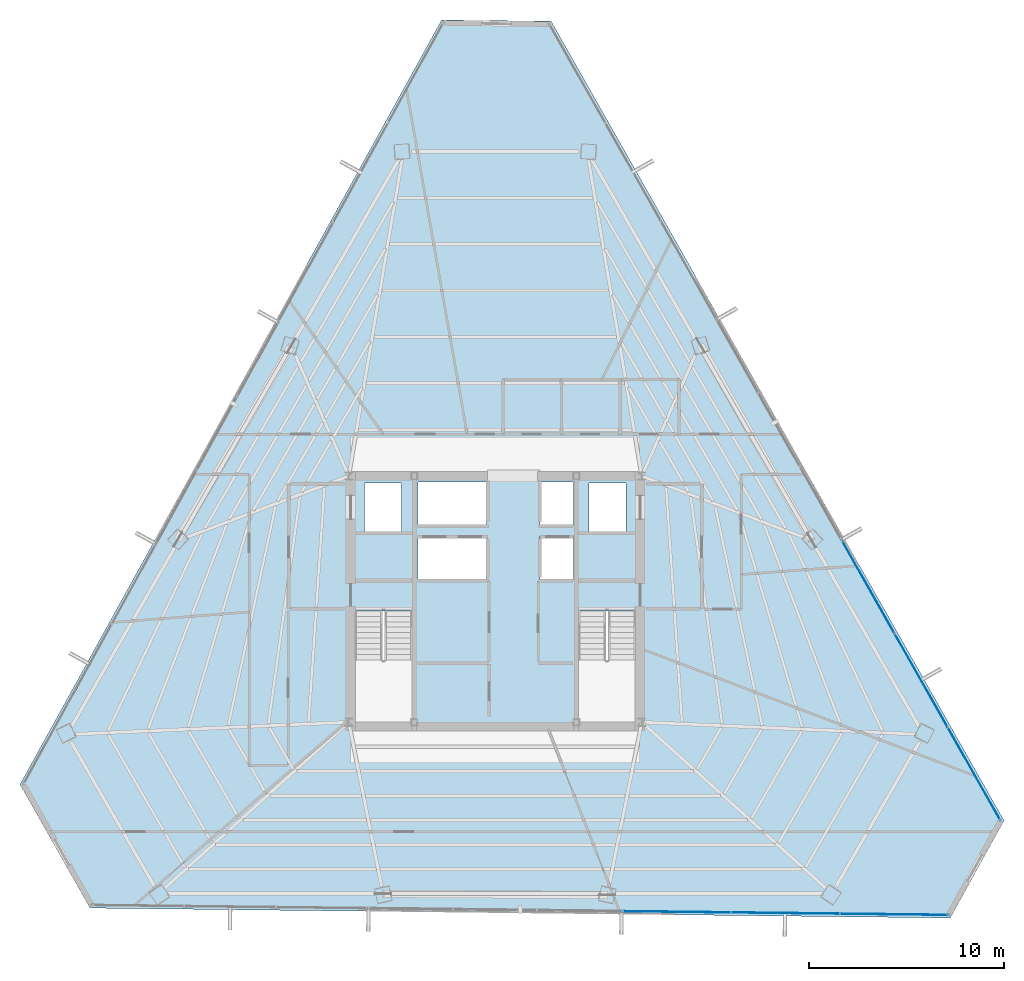
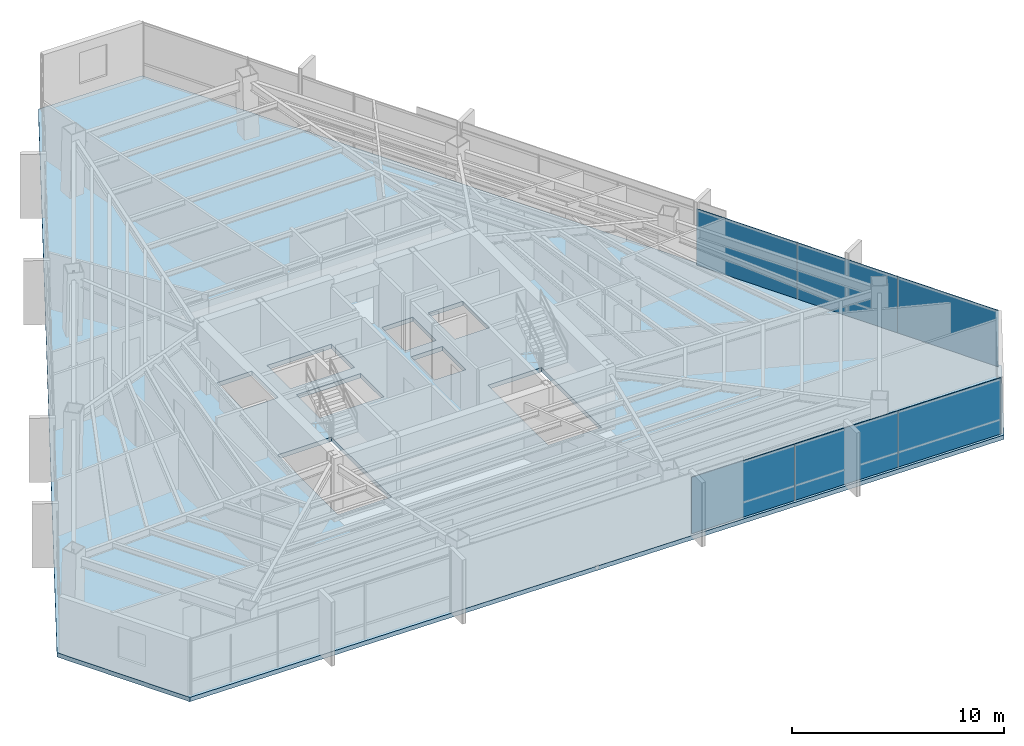
# One storey, part 34 of 40: 6 plates, 1 slab, 2 elements without a shape of their own.
"""IFC4 building model written with IfcOpenShell, lengths in metres."""

from ifc_helpers import new_model, si_unit, direction, frame, origin, origin_2d, place, context, subcontext, project, spatial, polyline, rectangle, outline, extrude, source, transform, mapped, material, layer, layer_set, type_object, type_shapes, element, aggregate, save


model = new_model("IFC4")

# Units and contexts
model_context = context("Model", 3, precision=1e-05, world=origin(), true_north=direction((0.0, 1.0)))
body_context = subcontext(model_context, "Body", "Model", "MODEL_VIEW")
ifc_project = project(units=[si_unit("LENGTHUNIT", "METRE"), si_unit("AREAUNIT", "SQUARE_METRE"), si_unit("VOLUMEUNIT", "CUBIC_METRE"), si_unit("PLANEANGLEUNIT", "RADIAN"), si_unit("MASSUNIT", "GRAM", prefix="KILO")], contexts=[model_context])

# Site, building, storey
site_placement = place(None, origin())
site = spatial("IfcSite", under=ifc_project, at=site_placement, CompositionType="ELEMENT")
building_placement = place(site_placement, origin())
building = spatial("IfcBuilding", under=site, at=building_placement, Name="Caelisora Broadcast Tower", CompositionType="ELEMENT")
storey_placement = place(building_placement, frame((0.0, 0.0, 216.89990234375)))
storey = spatial("IfcBuildingStorey", under=building, at=storey_placement, Name="L57", CompositionType="ELEMENT", Elevation=216.89990234375)

# Slab
ifc_material_1 = material(Name="Concrete 40 MPa (AS 3600 N40)", Category="concrete")
ifc_layer_1 = layer(ifc_material_1, 0.25, Name="Concrete 40 MPa (AS 3600 N40)")
ifc_layer_set_1 = layer_set([ifc_layer_1], Name="Concrete 40 MPa (AS 3600 N40)")
slab_type = type_object("IfcSlabType", Name="SL04", PredefinedType="FLOOR", material=ifc_layer_set_1)
slab_placement = place(storey_placement, frame((0.0, 0.0, -0.25)))
element("IfcSlab", 1, at=slab_placement, inside=storey, type_object=slab_type, Name="L57 suspended floor SL04", PredefinedType="FLOOR", context=body_context, shape_type="SweptSolid", body=[
    extrude(outline(polyline([(40.862060546875, 53.281982421875), (35.25, 53.345947265625), (13.669921875, 14.2099609375), (17.25390625, 7.884033203125), (61.29296875, 7.376953125), (64.04296875, 12.363037109375), (40.862060546875, 53.281982421875)]), holes=[polyline([(30.820068359375, 17.39990234375), (33.739990234375, 17.39990234375), (33.739990234375, 23.080078125), (30.820068359375, 23.080078125), (30.820068359375, 17.39990234375)]), polyline([(42.260009765625, 17.39990234375), (45.179931640625, 17.39990234375), (45.179931640625, 23.080078125), (42.260009765625, 23.080078125), (42.260009765625, 17.39990234375)]), polyline([(42.800048828125, 27.14990234375), (44.699951171875, 27.14990234375), (44.699951171875, 29.64990234375), (42.800048828125, 29.64990234375), (42.800048828125, 27.14990234375)]), polyline([(40.300048828125, 24.719970703125), (42.0, 24.719970703125), (42.0, 26.919921875), (40.300048828125, 26.919921875), (40.300048828125, 24.719970703125)]), polyline([(40.300048828125, 27.5), (42.0, 27.5), (42.0, 29.699951171875), (40.300048828125, 29.699951171875), (40.300048828125, 27.5)]), polyline([(34.050048828125, 24.719970703125), (37.550048828125, 24.719970703125), (37.550048828125, 26.919921875), (34.050048828125, 26.919921875), (34.050048828125, 24.719970703125)]), polyline([(34.050048828125, 27.5), (37.550048828125, 27.5), (37.550048828125, 29.699951171875), (34.050048828125, 29.699951171875), (34.050048828125, 27.5)]), polyline([(31.300048828125, 27.14990234375), (33.199951171875, 27.14990234375), (33.199951171875, 29.64990234375), (31.300048828125, 29.64990234375), (31.300048828125, 27.14990234375)])]), origin(), (0.0, 0.0, 1.0), 0.25),
])

# Curtain wall, plates
ifc_material_2 = material(Name="Unitised Aluminium and Low-E Glass Curtain Wall", Category="glass")
curtain_wall_type = type_object("IfcCurtainWallType", Name="CW-Z4", PredefinedType="NOTDEFINED", material=ifc_material_2)
curtain_wall_1_placement = place(storey_placement, origin())
curtain_wall_1 = element("IfcCurtainWall", 2, at=curtain_wall_1_placement, inside=storey, type_object=curtain_wall_type, Name="L57 curtain wall CW-Z4", PredefinedType="NOTDEFINED")
ifc_material_3 = material(Name="Double Glazed Low-E Argon IGU", Category="glass")
ifc_layer_2 = layer(ifc_material_3, 0.030029296875, Name="Double Glazed Low-E Argon IGU")
ifc_layer_set_2 = layer_set([ifc_layer_2], Name="Double Glazed Low-E Argon IGU")
plate_type = type_object("IfcPlateType", Name="CWP-05", PredefinedType="CURTAIN_PANEL", material=ifc_layer_set_2)
shared_shape_1 = source(origin(), body_context, "Body", "SweptSolid", [
    extrude(rectangle(XDim=5.50732421875, YDim=0.030029296875, at=origin_2d()), origin(), (0.0, 0.0, 1.0), 3.25),
])
plate_1_placement = place(storey_placement, frame((57.08447265625, 24.341796875, 0.0), z_axis=(0.0, 0.0, 1.0), x_axis=(0.492879209759, -0.870097744272, 0.0)))
plate_1 = element("IfcPlate", 3, at=plate_1_placement, type_object=plate_type, Name="L57-CW-B03 glazed panel #1", PredefinedType="CURTAIN_PANEL", context=body_context, shape_type="MappedRepresentation", body=[
    mapped(shared_shape_1, transform((0.0, 0.0, 0.0), scale=1.0)),
])
plate_2_placement = place(storey_placement, frame((59.799072265625, 19.5498046875, 0.0), z_axis=(0.0, 0.0, 1.0), x_axis=(0.492879209759, -0.870097744272, 0.0)))
plate_2 = element("IfcPlate", 4, at=plate_2_placement, type_object=plate_type, Name="L57-CW-B03 glazed panel #2", PredefinedType="CURTAIN_PANEL", context=body_context, shape_type="MappedRepresentation", body=[
    mapped(shared_shape_1, transform((0.0, 0.0, 0.0), scale=1.0)),
])
plate_3_placement = place(storey_placement, frame((62.513671875, 14.7578125, 0.0), z_axis=(0.0, 0.0, 1.0), x_axis=(0.492879209759, -0.870097744272, 0.0)))
plate_3 = element("IfcPlate", 5, at=plate_3_placement, type_object=plate_type, Name="L57-CW-B03 glazed panel #3", PredefinedType="CURTAIN_PANEL", context=body_context, shape_type="MappedRepresentation", body=[
    mapped(shared_shape_1, transform((0.0, 0.0, 0.0), scale=1.0)),
])
aggregate(curtain_wall_1, [plate_1, plate_2, plate_3])

curtain_wall_2_placement = place(storey_placement, origin())
curtain_wall_2 = element("IfcCurtainWall", 6, at=curtain_wall_2_placement, inside=storey, type_object=curtain_wall_type, Name="L57 curtain wall CW-Z4", PredefinedType="NOTDEFINED")
shared_shape_2 = source(origin(), body_context, "Body", "SweptSolid", [
    extrude(rectangle(XDim=5.577880859375, YDim=0.030029296875, at=origin_2d()), origin(), (0.0, 0.0, 1.0), 3.25),
])
type_shapes(plate_type, [shared_shape_1, shared_shape_2])
plate_4_placement = place(storey_placement, frame((58.416259765625, 7.56005859375, 0.0), z_axis=(0.0, 0.0, 1.0), x_axis=(-0.99993365506, 0.011518918316, 0.0)))
plate_4 = element("IfcPlate", 7, at=plate_4_placement, type_object=plate_type, Name="L57-CW-B05 glazed panel #1", PredefinedType="CURTAIN_PANEL", context=body_context, shape_type="MappedRepresentation", body=[
    mapped(shared_shape_2, transform((0.0, 0.0, 0.0), scale=1.0)),
])
plate_5_placement = place(storey_placement, frame((52.8388671875, 7.624267578125, 0.0), z_axis=(0.0, 0.0, 1.0), x_axis=(-0.99993365506, 0.011518918316, 0.0)))
plate_5 = element("IfcPlate", 8, at=plate_5_placement, type_object=plate_type, Name="L57-CW-B05 glazed panel #2", PredefinedType="CURTAIN_PANEL", context=body_context, shape_type="MappedRepresentation", body=[
    mapped(shared_shape_2, transform((0.0, 0.0, 0.0), scale=1.0)),
])
plate_6_placement = place(storey_placement, frame((47.261474609375, 7.6884765625, 0.0), z_axis=(0.0, 0.0, 1.0), x_axis=(-0.99993365506, 0.011518918316, 0.0)))
plate_6 = element("IfcPlate", 9, at=plate_6_placement, type_object=plate_type, Name="L57-CW-B05 glazed panel #3", PredefinedType="CURTAIN_PANEL", context=body_context, shape_type="MappedRepresentation", body=[
    mapped(shared_shape_2, transform((0.0, 0.0, 0.0), scale=1.0)),
])
aggregate(curtain_wall_2, [plate_4, plate_5, plate_6])

save(model, "model.ifc")
